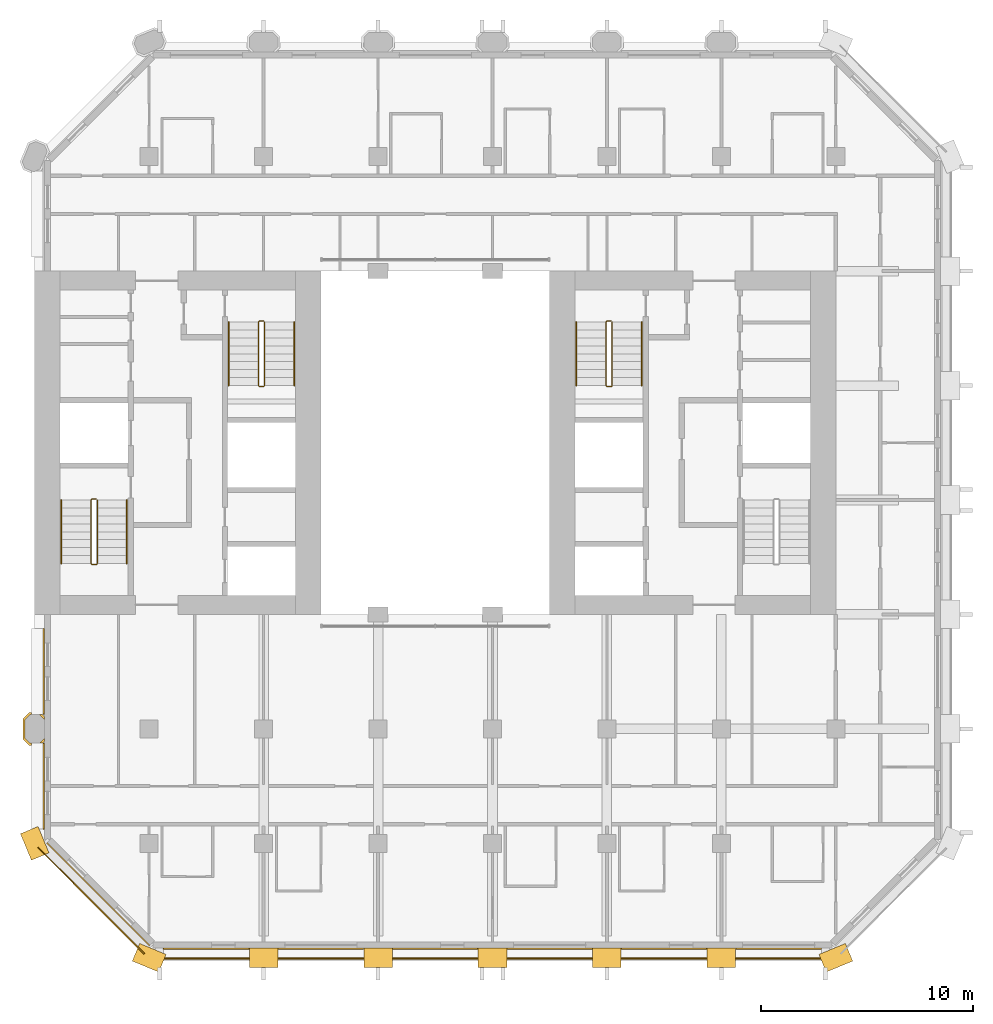
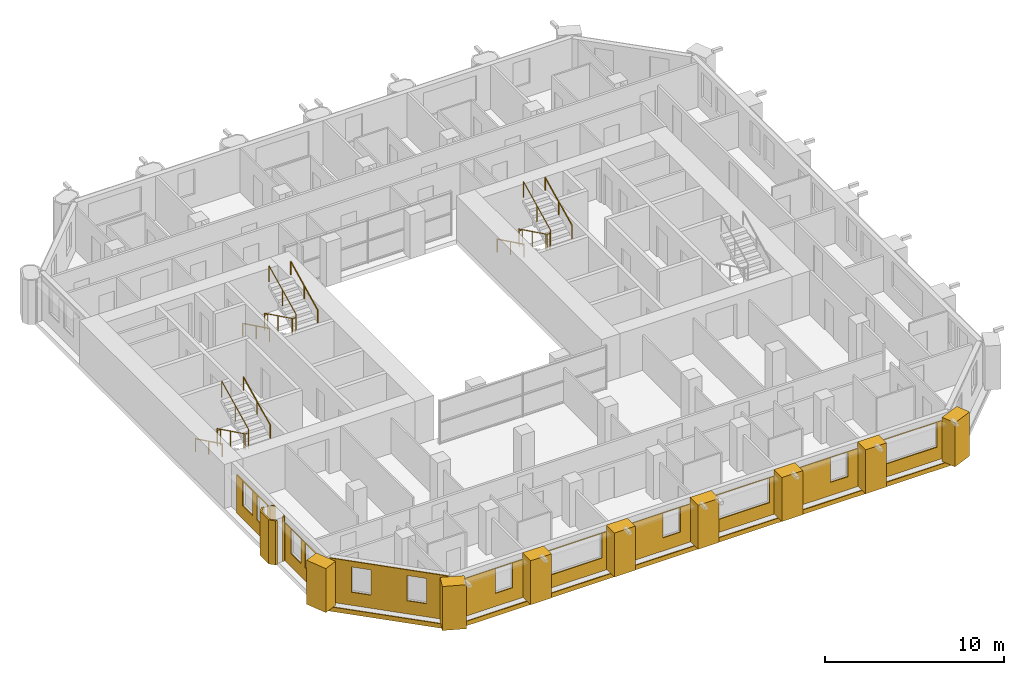
# One storey, part 12 of 13: 22 coverings, 9 railings.
"""IFC4 building model written with IfcOpenShell, lengths in metres."""

from ifc_helpers import new_model, si_unit, direction, frame, frame_2d, origin, origin_2d, place, context, subcontext, project, spatial, polyline, rectangle, circle, outline, extrude, material, layer, layer_set, type_object, element, save


model = new_model("IFC4")

# Units and contexts
model_context = context("Model", 3, precision=1e-05, world=origin(), true_north=direction((0.0, 1.0)))
body_context = subcontext(model_context, "Body", "Model", "MODEL_VIEW")
ifc_project = project(units=[si_unit("LENGTHUNIT", "METRE"), si_unit("AREAUNIT", "SQUARE_METRE"), si_unit("VOLUMEUNIT", "CUBIC_METRE"), si_unit("PLANEANGLEUNIT", "RADIAN"), si_unit("MASSUNIT", "GRAM", prefix="KILO")], contexts=[model_context])

# Site, building, storey
site_placement = place(None, origin())
site = spatial("IfcSite", under=ifc_project, at=site_placement, CompositionType="ELEMENT")
building_placement = place(site_placement, origin())
building = spatial("IfcBuilding", under=site, at=building_placement, Name="Tabaq Tower and Sports Hall", CompositionType="ELEMENT")
storey_placement = place(building_placement, frame((0.0, 0.0, 162.699951171875)))
storey = spatial("IfcBuildingStorey", under=building, at=storey_placement, Name="L38", CompositionType="ELEMENT", Elevation=162.699951171875)

# Coverings
ifc_material_1 = material(Name="Precast concrete C60/75", Category="concrete")
ifc_layer_1 = layer(ifc_material_1, 0.10009765625)
ifc_layer_set_1 = layer_set([ifc_layer_1], Name="Column cladding 100")
covering_type_1 = type_object("IfcCoveringType", Name="Column cladding 100", PredefinedType="CLADDING", material=ifc_layer_set_1)
covering_1_placement = place(storey_placement, origin())
element("IfcCovering", 1, at=covering_1_placement, inside=storey, type_object=covering_type_1, Name="Column cladding L38 PC-2C-H1", PredefinedType="CLADDING", context=body_context, shape_type="SweptSolid", body=[
    extrude(outline(polyline([(5.1337890625, 10.025390625), (4.850341796875, 10.30859375), (4.850341796875, 11.291259765625), (5.1337890625, 11.57470703125), (5.249755859375, 11.57470703125), (5.249755859375, 11.475341796875), (5.1748046875, 11.475341796875), (4.94970703125, 11.250244140625), (4.94970703125, 10.349853515625), (5.1748046875, 10.124755859375), (5.249755859375, 10.124755859375), (5.249755859375, 10.025390625), (5.1337890625, 10.025390625)])), origin(), (0.0, 0.0, 1.0), 3.0),
])
covering_2_placement = place(storey_placement, origin())
element("IfcCovering", 2, at=covering_2_placement, inside=storey, type_object=covering_type_1, Name="Column cladding L38 PC-2C-H1 2", PredefinedType="CLADDING", context=body_context, shape_type="SweptSolid", body=[
    extrude(outline(polyline([(5.766357421875, 10.125244140625), (5.625732421875, 10.125244140625), (5.849609375, 10.349365234375), (5.849609375, 10.208740234375), (5.766357421875, 10.125244140625)])), origin(), (0.0, 0.0, 1.0), 3.0),
])
covering_3_placement = place(storey_placement, origin())
element("IfcCovering", 3, at=covering_3_placement, inside=storey, type_object=covering_type_1, Name="Column cladding L38 PC-2C-H1 3", PredefinedType="CLADDING", context=body_context, shape_type="SweptSolid", body=[
    extrude(outline(polyline([(5.849609375, 11.391357421875), (5.849609375, 11.250732421875), (5.625732421875, 11.474609375), (5.766357421875, 11.474609375), (5.849609375, 11.391357421875)])), origin(), (0.0, 0.0, 1.0), 3.0),
])
ifc_material_2 = material(Name="Precast concrete C60/75", Category="concrete")
ifc_layer_2 = layer(ifc_material_2, 0.06005859375)
ifc_layer_set_2 = layer_set([ifc_layer_2], Name="Edge beam cladding 60")
covering_type_2 = type_object("IfcCoveringType", Name="Edge beam cladding 60", PredefinedType="CLADDING", material=ifc_layer_set_2)
covering_4_placement = place(storey_placement, frame((11.0986328125, -0.030029296875, -0.300048828125), z_axis=(0.0, 0.0, 1.0), x_axis=(1.0, 0.0, 0.0)))
element("IfcCovering", 4, at=covering_4_placement, inside=storey, type_object=covering_type_2, Name="Edge beam cladding L38 1", PredefinedType="CLADDING", context=body_context, shape_type="SweptSolid", body=[
    extrude(rectangle(XDim=31.802734375, YDim=0.06005859375, at=frame_2d((15.9013671875, 0.0))), origin(), (0.0, 0.0, 1.0), 0.300048828125),
])
covering_5_placement = place(storey_placement, frame((5.5556640625, 5.201904296875, -0.300048828125), z_axis=(0.0, 0.0, 1.0), x_axis=(0.707106781187, -0.707106781187, 0.0)))
element("IfcCovering", 5, at=covering_5_placement, inside=storey, type_object=covering_type_2, Name="Edge beam cladding L38 5", PredefinedType="CLADDING", context=body_context, shape_type="SweptSolid", body=[
    extrude(rectangle(XDim=7.087890625, YDim=0.06005859375, at=frame_2d((3.5439453125, 0.0))), origin(), (0.0, 0.0, 1.0), 0.300048828125),
])
ifc_material_3 = material(Name="White precast concrete C60/75", Category="concrete")
covering_type_3 = type_object("IfcCoveringType", Name="Pier cladding hung 1350x900", PredefinedType="CLADDING", material=ifc_material_3)
for number, where, z_axis, x_axis, name in (
    (6, (5.1416015625, 6.023681640625, 0.0), (0.0, 0.0, 1.0), (0.382649923473, -0.923893411637, 0.0), "Hung pier cladding 1/1"),
    (7, (10.17626953125, 0.25830078125, 0.0), (0.0, 0.0, 1.0), (0.923893411637, -0.382649923473, 0.0), "Hung pier cladding 2/0"),
    (8, (15.52490234375, 0.0, 0.0), (0.0, 0.0, 1.0), (1.0, 0.0, 0.0), "Hung pier cladding 3/0"),
):
    element("IfcCovering", number, at=place(storey_placement, frame(where, z_axis=z_axis, x_axis=x_axis)), inside=storey, type_object=covering_type_3, Name=name, PredefinedType="CLADDING", context=body_context, shape_type="SweptSolid", body=[
        extrude(rectangle(XDim=1.35009765625, YDim=0.89990234375, at=frame_2d((0.675048828125, 0.0))), origin(), (0.0, 0.0, 1.0), 3.0),
    ])
covering_6_placement = place(storey_placement, frame((20.925048828125, 0.0, 0.0), z_axis=(0.0, 0.0, 1.0), x_axis=(1.0, 0.0, 0.0)))
element("IfcCovering", 9, at=covering_6_placement, inside=storey, type_object=covering_type_3, Name="Hung pier cladding 4/0", PredefinedType="CLADDING", context=body_context, shape_type="SweptSolid", body=[
    extrude(rectangle(XDim=1.349853515625, YDim=0.89990234375, at=frame_2d((0.6748046875, 0.0))), origin(), (0.0, 0.0, 1.0), 3.0),
])
covering_7_placement = place(storey_placement, frame((26.324951171875, 0.0, 0.0), z_axis=(0.0, 0.0, 1.0), x_axis=(1.0, 0.0, 0.0)))
element("IfcCovering", 10, at=covering_7_placement, inside=storey, type_object=covering_type_3, Name="Hung pier cladding 5/0", PredefinedType="CLADDING", context=body_context, shape_type="SweptSolid", body=[
    extrude(rectangle(XDim=1.35009765625, YDim=0.89990234375, at=frame_2d((0.675048828125, 0.0))), origin(), (0.0, 0.0, 1.0), 3.0),
])
covering_8_placement = place(storey_placement, frame((31.72509765625, 0.0, 0.0), z_axis=(0.0, 0.0, 1.0), x_axis=(1.0, 0.0, 0.0)))
element("IfcCovering", 11, at=covering_8_placement, inside=storey, type_object=covering_type_3, Name="Hung pier cladding 6/0", PredefinedType="CLADDING", context=body_context, shape_type="SweptSolid", body=[
    extrude(rectangle(XDim=1.349853515625, YDim=0.89990234375, at=frame_2d((0.6748046875, 0.0))), origin(), (0.0, 0.0, 1.0), 3.0),
])
for number, where, z_axis, x_axis, name in (
    (12, (37.125, 0.0, 0.0), (0.0, 0.0, 1.0), (1.0, 0.0, 0.0), "Hung pier cladding 7/0"),
    (13, (42.576416015625, -0.25830078125, 0.0), (0.0, 0.0, 1.0), (0.923893411637, 0.382649923473, 0.0), "Hung pier cladding 8/0"),
):
    element("IfcCovering", number, at=place(storey_placement, frame(where, z_axis=z_axis, x_axis=x_axis)), inside=storey, type_object=covering_type_3, Name=name, PredefinedType="CLADDING", context=body_context, shape_type="SweptSolid", body=[
        extrude(rectangle(XDim=1.35009765625, YDim=0.89990234375, at=frame_2d((0.675048828125, 0.0))), origin(), (0.0, 0.0, 1.0), 3.0),
    ])

# Railings
ifc_material_4 = material(Name="Stainless steel", Category="steel")
railing_type_1 = type_object("IfcRailingType", Name="Stair guard", PredefinedType="GUARDRAIL", material=ifc_material_4)
railing_1_placement = place(storey_placement, frame((8.300048828125, 21.64990234375, 0.0)))
element("IfcRailing", 14, at=railing_1_placement, inside=storey, type_object=railing_type_1, Name="L38 ST1 stair guard 1", PredefinedType="GUARDRAIL", context=body_context, shape_type="SweptSolid", body=[
    extrude(circle(Radius=0.02392578125, at=origin_2d()), frame((0.0, 0.0, 1.076171875), z_axis=(-1.0, 0.0, 0.0), x_axis=(0.0, -1.0, 0.0)), (0.0, 0.0, 1.0), 0.199951171875),
    extrude(circle(Radius=0.02392578125, at=origin_2d()), frame((-0.199951171875, 0.0, 1.076171875), z_axis=(-0.254733673405, -0.25349107012, 0.933195066962), x_axis=(0.705375805398, -0.708833529934, 0.0)), (0.0, 0.0, 1.0), 0.196533203125),
    extrude(circle(Radius=0.02392578125, at=origin_2d()), frame((-0.25, -0.0498046875, 1.25927734375), z_axis=(0.0, -0.898368975038, 0.439241601728), x_axis=(1.0, 0.0, 0.0)), (0.0, 0.0, 1.0), 3.33935546875),
    extrude(circle(Radius=0.02392578125, at=origin_2d()), frame((-0.25, -3.0498046875, 2.72607421875), z_axis=(0.707106781187, -0.707106781187, 0.0), x_axis=(0.707106781187, 0.707106781187, 0.0)), (0.0, 0.0, 1.0), 0.07080078125),
    extrude(circle(Radius=0.02392578125, at=origin_2d()), frame((-0.199951171875, -3.099853515625, 2.72607421875), z_axis=(1.0, 0.0, 0.0), x_axis=(0.0, 1.0, 0.0)), (0.0, 0.0, 1.0), 0.199951171875),
    extrude(circle(Radius=0.02392578125, at=origin_2d()), frame((0.0, -3.099853515625, 2.72607421875), z_axis=(0.254653276557, 0.254653276557, 0.932900539971), x_axis=(-0.707106781187, 0.707106781187, 0.0)), (0.0, 0.0, 1.0), 0.196533203125),
    extrude(circle(Radius=0.02392578125, at=origin_2d()), frame((0.050048828125, -3.0498046875, 2.90966796875), z_axis=(0.0, 0.898397823093, 0.439182594671), x_axis=(-1.0, 0.0, 0.0)), (0.0, 0.0, 1.0), 3.33935546875),
    extrude(circle(Radius=0.02099609375, at=origin_2d()), origin(), (0.0, 0.0, 1.0), 1.052001953125),
    extrude(circle(Radius=0.02099609375, at=origin_2d()), frame((-0.199951171875, 0.0, 0.0)), (0.0, 0.0, 1.0), 1.052001953125),
    extrude(circle(Radius=0.02099609375, at=origin_2d()), frame((-0.25, -0.0498046875, 0.183349609375)), (0.0, 0.0, 1.0), 1.052001953125),
    extrude(circle(Radius=0.02099609375, at=origin_2d()), frame((-0.25, -1.5498046875, 0.916748046875)), (0.0, 0.0, 1.0), 1.052001953125),
    extrude(circle(Radius=0.02099609375, at=origin_2d()), frame((-0.25, -3.0498046875, 1.650146484375)), (0.0, 0.0, 1.0), 1.052001953125),
    extrude(circle(Radius=0.02099609375, at=origin_2d()), frame((-0.199951171875, -3.099853515625, 1.650146484375)), (0.0, 0.0, 1.0), 1.052001953125),
    extrude(circle(Radius=0.02099609375, at=origin_2d()), frame((0.0, -3.099853515625, 1.650146484375)), (0.0, 0.0, 1.0), 1.052001953125),
    extrude(circle(Radius=0.02099609375, at=origin_2d()), frame((0.050048828125, -3.0498046875, 1.83349609375)), (0.0, 0.0, 1.0), 1.052001953125),
    extrude(circle(Radius=0.02099609375, at=origin_2d()), frame((0.050048828125, -1.5498046875, 2.56689453125)), (0.0, 0.0, 1.0), 1.052001953125),
    extrude(circle(Radius=0.02099609375, at=origin_2d()), frame((0.050048828125, -0.0498046875, 3.300048828125)), (0.0, 0.0, 1.0), 1.052001953125),
])
railing_2_placement = place(storey_placement, frame((16.199951171875, 30.050048828125, 0.0)))
element("IfcRailing", 15, at=railing_2_placement, inside=storey, type_object=railing_type_1, Name="L38 ST2 stair guard 1", PredefinedType="GUARDRAIL", context=body_context, shape_type="SweptSolid", body=[
    extrude(circle(Radius=0.02392578125, at=origin_2d()), frame((0.0, 0.0, 1.076171875), z_axis=(-1.0, 0.0, 0.0), x_axis=(0.0, -1.0, 0.0)), (0.0, 0.0, 1.0), 0.199951171875),
    extrude(circle(Radius=0.02392578125, at=origin_2d()), frame((-0.199951171875, 0.0, 1.076171875), z_axis=(-0.254653276557, -0.254653276557, 0.932900539971), x_axis=(0.707106781187, -0.707106781187, 0.0)), (0.0, 0.0, 1.0), 0.196533203125),
    extrude(circle(Radius=0.02392578125, at=origin_2d()), frame((-0.25, -0.050048828125, 1.25927734375), z_axis=(0.0, -0.898368975038, 0.439241601728), x_axis=(1.0, 0.0, 0.0)), (0.0, 0.0, 1.0), 3.33935546875),
    extrude(circle(Radius=0.02392578125, at=origin_2d()), frame((-0.25, -3.050048828125, 2.72607421875), z_axis=(0.707106781187, -0.707106781187, 0.0), x_axis=(0.707106781187, 0.707106781187, 0.0)), (0.0, 0.0, 1.0), 0.07080078125),
    extrude(circle(Radius=0.02392578125, at=origin_2d()), frame((-0.199951171875, -3.10009765625, 2.72607421875), z_axis=(1.0, 0.0, 0.0), x_axis=(0.0, 1.0, 0.0)), (0.0, 0.0, 1.0), 0.199951171875),
    extrude(circle(Radius=0.02392578125, at=origin_2d()), frame((0.0, -3.10009765625, 2.72607421875), z_axis=(0.254653276557, 0.254653276557, 0.932900539971), x_axis=(-0.707106781187, 0.707106781187, 0.0)), (0.0, 0.0, 1.0), 0.196533203125),
    extrude(circle(Radius=0.02392578125, at=origin_2d()), frame((0.050048828125, -3.050048828125, 2.90966796875), z_axis=(0.0, 0.898397823093, 0.439182594671), x_axis=(-1.0, 0.0, 0.0)), (0.0, 0.0, 1.0), 3.33935546875),
    extrude(circle(Radius=0.02099609375, at=origin_2d()), origin(), (0.0, 0.0, 1.0), 1.052001953125),
    extrude(circle(Radius=0.02099609375, at=origin_2d()), frame((-0.199951171875, 0.0, 0.0)), (0.0, 0.0, 1.0), 1.052001953125),
    extrude(circle(Radius=0.02099609375, at=origin_2d()), frame((-0.25, -0.050048828125, 0.183349609375)), (0.0, 0.0, 1.0), 1.052001953125),
    extrude(circle(Radius=0.02099609375, at=origin_2d()), frame((-0.25, -1.550048828125, 0.916748046875)), (0.0, 0.0, 1.0), 1.052001953125),
    extrude(circle(Radius=0.02099609375, at=origin_2d()), frame((-0.25, -3.050048828125, 1.650146484375)), (0.0, 0.0, 1.0), 1.052001953125),
    extrude(circle(Radius=0.02099609375, at=origin_2d()), frame((-0.199951171875, -3.10009765625, 1.650146484375)), (0.0, 0.0, 1.0), 1.052001953125),
    extrude(circle(Radius=0.02099609375, at=origin_2d()), frame((0.0, -3.10009765625, 1.650146484375)), (0.0, 0.0, 1.0), 1.052001953125),
    extrude(circle(Radius=0.02099609375, at=origin_2d()), frame((0.050048828125, -3.050048828125, 1.83349609375)), (0.0, 0.0, 1.0), 1.052001953125),
    extrude(circle(Radius=0.02099609375, at=origin_2d()), frame((0.050048828125, -1.550048828125, 2.56689453125)), (0.0, 0.0, 1.0), 1.052001953125),
    extrude(circle(Radius=0.02099609375, at=origin_2d()), frame((0.050048828125, -0.050048828125, 3.300048828125)), (0.0, 0.0, 1.0), 1.052001953125),
])
railing_3_placement = place(storey_placement, frame((32.60009765625, 30.050048828125, 0.0)))
element("IfcRailing", 16, at=railing_3_placement, inside=storey, type_object=railing_type_1, Name="L38 ST4 stair guard 1", PredefinedType="GUARDRAIL", context=body_context, shape_type="SweptSolid", body=[
    extrude(circle(Radius=0.02392578125, at=origin_2d()), frame((0.0, 0.0, 1.076171875), z_axis=(-1.0, 0.0, 0.0), x_axis=(0.0, -1.0, 0.0)), (0.0, 0.0, 1.0), 0.2001953125),
    extrude(circle(Radius=0.02392578125, at=origin_2d()), frame((-0.2001953125, 0.0, 1.076171875), z_axis=(-0.25349107012, -0.254733673405, 0.933195066962), x_axis=(0.708833529934, -0.705375805398, 0.0)), (0.0, 0.0, 1.0), 0.196533203125),
    extrude(circle(Radius=0.02392578125, at=origin_2d()), frame((-0.25, -0.050048828125, 1.25927734375), z_axis=(0.0, -0.898368975038, 0.439241601728), x_axis=(1.0, 0.0, 0.0)), (0.0, 0.0, 1.0), 3.33935546875),
    extrude(circle(Radius=0.02392578125, at=origin_2d()), frame((-0.25, -3.050048828125, 2.72607421875), z_axis=(0.705375805398, -0.708833529934, 0.0), x_axis=(0.708833529934, 0.705375805398, 0.0)), (0.0, 0.0, 1.0), 0.070556640625),
    extrude(circle(Radius=0.02392578125, at=origin_2d()), frame((-0.2001953125, -3.10009765625, 2.72607421875), z_axis=(1.0, 0.0, 0.0), x_axis=(0.0, 1.0, 0.0)), (0.0, 0.0, 1.0), 0.2001953125),
    extrude(circle(Radius=0.02392578125, at=origin_2d()), frame((0.0, -3.10009765625, 2.72607421875), z_axis=(0.25349107012, 0.254733673405, 0.933195066962), x_axis=(-0.708833529934, 0.705375805398, 0.0)), (0.0, 0.0, 1.0), 0.196533203125),
    extrude(circle(Radius=0.02392578125, at=origin_2d()), frame((0.0498046875, -3.050048828125, 2.90966796875), z_axis=(0.0, 0.898397823093, 0.439182594671), x_axis=(-1.0, 0.0, 0.0)), (0.0, 0.0, 1.0), 3.33935546875),
    extrude(circle(Radius=0.02099609375, at=origin_2d()), origin(), (0.0, 0.0, 1.0), 1.052001953125),
    extrude(circle(Radius=0.02099609375, at=origin_2d()), frame((-0.2001953125, 0.0, 0.0)), (0.0, 0.0, 1.0), 1.052001953125),
    extrude(circle(Radius=0.02099609375, at=origin_2d()), frame((-0.25, -0.050048828125, 0.183349609375)), (0.0, 0.0, 1.0), 1.052001953125),
    extrude(circle(Radius=0.02099609375, at=origin_2d()), frame((-0.25, -1.550048828125, 0.916748046875)), (0.0, 0.0, 1.0), 1.052001953125),
    extrude(circle(Radius=0.02099609375, at=origin_2d()), frame((-0.25, -3.050048828125, 1.650146484375)), (0.0, 0.0, 1.0), 1.052001953125),
    extrude(circle(Radius=0.02099609375, at=origin_2d()), frame((-0.2001953125, -3.10009765625, 1.650146484375)), (0.0, 0.0, 1.0), 1.052001953125),
    extrude(circle(Radius=0.02099609375, at=origin_2d()), frame((0.0, -3.10009765625, 1.650146484375)), (0.0, 0.0, 1.0), 1.052001953125),
    extrude(circle(Radius=0.02099609375, at=origin_2d()), frame((0.0498046875, -3.050048828125, 1.83349609375)), (0.0, 0.0, 1.0), 1.052001953125),
    extrude(circle(Radius=0.02099609375, at=origin_2d()), frame((0.0498046875, -1.550048828125, 2.56689453125)), (0.0, 0.0, 1.0), 1.052001953125),
    extrude(circle(Radius=0.02099609375, at=origin_2d()), frame((0.0498046875, -0.050048828125, 3.300048828125)), (0.0, 0.0, 1.0), 1.052001953125),
])
ifc_material_5 = material(Name="Stainless steel", Category="steel")
railing_type_2 = type_object("IfcRailingType", Name="Stair handrail", PredefinedType="HANDRAIL", material=ifc_material_5)
railing_4_placement = place(storey_placement, frame((6.64990234375, 21.60009765625, 0.183349609375)))
element("IfcRailing", 17, at=railing_4_placement, inside=storey, type_object=railing_type_2, Name="L38 ST1 stair handrail 1", PredefinedType="HANDRAIL", context=body_context, shape_type="SweptSolid", body=[
    extrude(circle(Radius=0.02392578125, at=origin_2d()), frame((0.0, 0.0, 0.8759765625), z_axis=(0.0, -0.898368975038, 0.439241601728), x_axis=(1.0, 0.0, 0.0)), (0.0, 0.0, 1.0), 3.33935546875),
    extrude(circle(Radius=0.02099609375, at=origin_2d()), origin(), (0.0, 0.0, 1.0), 0.851806640625),
    extrude(circle(Radius=0.02099609375, at=origin_2d()), frame((0.0, -1.5, 0.7333984375)), (0.0, 0.0, 1.0), 0.851806640625),
    extrude(circle(Radius=0.02099609375, at=origin_2d()), frame((0.0, -3.0, 1.466796875)), (0.0, 0.0, 1.0), 0.851806640625),
])
railing_5_placement = place(storey_placement, frame((9.75, 18.60009765625, 1.83349609375)))
element("IfcRailing", 18, at=railing_5_placement, inside=storey, type_object=railing_type_2, Name="L38 ST1 stair handrail 2", PredefinedType="HANDRAIL", context=body_context, shape_type="SweptSolid", body=[
    extrude(circle(Radius=0.02392578125, at=origin_2d()), frame((0.0, 0.0, 0.8759765625), z_axis=(0.0, 0.898397823093, 0.439182594671), x_axis=(-1.0, 0.0, 0.0)), (0.0, 0.0, 1.0), 3.33935546875),
    extrude(circle(Radius=0.02099609375, at=origin_2d()), origin(), (0.0, 0.0, 1.0), 0.851806640625),
    extrude(circle(Radius=0.02099609375, at=origin_2d()), frame((0.0, 1.5, 0.7333984375)), (0.0, 0.0, 1.0), 0.851806640625),
    extrude(circle(Radius=0.02099609375, at=origin_2d()), frame((0.0, 3.0, 1.466552734375)), (0.0, 0.0, 1.0), 0.851806640625),
])
railing_6_placement = place(storey_placement, frame((14.550048828125, 30.0, 0.183349609375)))
element("IfcRailing", 19, at=railing_6_placement, inside=storey, type_object=railing_type_2, Name="L38 ST2 stair handrail 1", PredefinedType="HANDRAIL", context=body_context, shape_type="SweptSolid", body=[
    extrude(circle(Radius=0.02392578125, at=origin_2d()), frame((0.0, 0.0, 0.8759765625), z_axis=(0.0, -0.898368975038, 0.439241601728), x_axis=(1.0, 0.0, 0.0)), (0.0, 0.0, 1.0), 3.33935546875),
    extrude(circle(Radius=0.02099609375, at=origin_2d()), origin(), (0.0, 0.0, 1.0), 0.851806640625),
    extrude(circle(Radius=0.02099609375, at=origin_2d()), frame((0.0, -1.5, 0.7333984375)), (0.0, 0.0, 1.0), 0.851806640625),
    extrude(circle(Radius=0.02099609375, at=origin_2d()), frame((0.0, -3.0, 1.466796875)), (0.0, 0.0, 1.0), 0.851806640625),
])
railing_7_placement = place(storey_placement, frame((17.64990234375, 27.0, 1.83349609375)))
element("IfcRailing", 20, at=railing_7_placement, inside=storey, type_object=railing_type_2, Name="L38 ST2 stair handrail 2", PredefinedType="HANDRAIL", context=body_context, shape_type="SweptSolid", body=[
    extrude(circle(Radius=0.02392578125, at=origin_2d()), frame((0.0, 0.0, 0.8759765625), z_axis=(0.0, 0.898397823093, 0.439182594671), x_axis=(-1.0, 0.0, 0.0)), (0.0, 0.0, 1.0), 3.33935546875),
    extrude(circle(Radius=0.02099609375, at=origin_2d()), origin(), (0.0, 0.0, 1.0), 0.851806640625),
    extrude(circle(Radius=0.02099609375, at=origin_2d()), frame((0.0, 1.5, 0.7333984375)), (0.0, 0.0, 1.0), 0.851806640625),
    extrude(circle(Radius=0.02099609375, at=origin_2d()), frame((0.0, 3.0, 1.466552734375)), (0.0, 0.0, 1.0), 0.851806640625),
])
railing_8_placement = place(storey_placement, frame((30.949951171875, 30.0, 0.183349609375)))
element("IfcRailing", 21, at=railing_8_placement, inside=storey, type_object=railing_type_2, Name="L38 ST4 stair handrail 1", PredefinedType="HANDRAIL", context=body_context, shape_type="SweptSolid", body=[
    extrude(circle(Radius=0.02392578125, at=origin_2d()), frame((0.0, 0.0, 0.8759765625), z_axis=(0.0, -0.898368975038, 0.439241601728), x_axis=(1.0, 0.0, 0.0)), (0.0, 0.0, 1.0), 3.33935546875),
    extrude(circle(Radius=0.02099609375, at=origin_2d()), origin(), (0.0, 0.0, 1.0), 0.851806640625),
    extrude(circle(Radius=0.02099609375, at=origin_2d()), frame((0.0, -1.5, 0.7333984375)), (0.0, 0.0, 1.0), 0.851806640625),
    extrude(circle(Radius=0.02099609375, at=origin_2d()), frame((0.0, -3.0, 1.466796875)), (0.0, 0.0, 1.0), 0.851806640625),
])
railing_9_placement = place(storey_placement, frame((34.050048828125, 27.0, 1.83349609375)))
element("IfcRailing", 22, at=railing_9_placement, inside=storey, type_object=railing_type_2, Name="L38 ST4 stair handrail 2", PredefinedType="HANDRAIL", context=body_context, shape_type="SweptSolid", body=[
    extrude(circle(Radius=0.02392578125, at=origin_2d()), frame((0.0, 0.0, 0.8759765625), z_axis=(0.0, 0.898397823093, 0.439182594671), x_axis=(-1.0, 0.0, 0.0)), (0.0, 0.0, 1.0), 3.33935546875),
    extrude(circle(Radius=0.02099609375, at=origin_2d()), origin(), (0.0, 0.0, 1.0), 0.851806640625),
    extrude(circle(Radius=0.02099609375, at=origin_2d()), frame((0.0, 1.5, 0.7333984375)), (0.0, 0.0, 1.0), 0.851806640625),
    extrude(circle(Radius=0.02099609375, at=origin_2d()), frame((0.0, 3.0, 1.466552734375)), (0.0, 0.0, 1.0), 0.851806640625),
])

# Coverings
ifc_material_6 = material(Name="Precast concrete C60/75", Category="concrete")
ifc_layer_3 = layer(ifc_material_6, 0.06005859375)
ifc_layer_set_3 = layer_set([ifc_layer_3], Name="White precast cladding panel 60 C60/75")
covering_type_4 = type_object("IfcCoveringType", Name="White precast cladding panel 60 C60/75", PredefinedType="CLADDING", material=ifc_layer_set_3)
covering_9_placement = place(storey_placement, frame((11.465087890625, 0.419921875, 0.0), z_axis=(0.0, 0.0, 1.0), x_axis=(1.0, 0.0, 0.0)))
element("IfcCovering", 23, at=covering_9_placement, inside=storey, type_object=covering_type_4, Name="White precast cladding panel L38 wall00", PredefinedType="CLADDING", context=body_context, shape_type="SweptSolid", body=[
    extrude(outline(polyline([(0.0, 0.0), (4.0498046875, 0.0), (4.0498046875, 2.590087890625), (0.0, 2.590087890625), (0.0, 0.0)]), holes=[polyline([(3.39501953125, 0.89013671875), (2.27490234375, 0.89013671875), (2.27490234375, 2.56005859375), (3.39501953125, 2.56005859375), (3.39501953125, 0.89013671875)])]), frame((0.0, 0.030029296875, 0.0), z_axis=(0.0, -1.0, 0.0), x_axis=(1.0, 0.0, 0.0)), (0.0, 0.0, 1.0), 0.06005859375),
])
covering_10_placement = place(storey_placement, frame((16.885009765625, 0.419921875, 0.0), z_axis=(0.0, 0.0, 1.0), x_axis=(1.0, 0.0, 0.0)))
element("IfcCovering", 24, at=covering_10_placement, inside=storey, type_object=covering_type_4, Name="White precast cladding panel L38 wall00 2", PredefinedType="CLADDING", context=body_context, shape_type="SweptSolid", body=[
    extrude(outline(polyline([(0.0, 0.0), (4.030029296875, 0.0), (4.030029296875, 2.590087890625), (0.0, 2.590087890625), (0.0, 0.0)]), holes=[polyline([(3.72509765625, 0.89013671875), (0.304931640625, 0.89013671875), (0.304931640625, 2.56005859375), (3.72509765625, 2.56005859375), (3.72509765625, 0.89013671875)])]), frame((0.0, 0.030029296875, 0.0), z_axis=(0.0, -1.0, 0.0), x_axis=(1.0, 0.0, 0.0)), (0.0, 0.0, 1.0), 0.06005859375),
])
covering_11_placement = place(storey_placement, frame((22.284912109375, 0.419921875, 0.0), z_axis=(0.0, 0.0, 1.0), x_axis=(1.0, 0.0, 0.0)))
element("IfcCovering", 25, at=covering_11_placement, inside=storey, type_object=covering_type_4, Name="White precast cladding panel L38 wall00 3", PredefinedType="CLADDING", context=body_context, shape_type="SweptSolid", body=[
    extrude(outline(polyline([(0.0, 0.0), (4.030029296875, 0.0), (4.030029296875, 2.590087890625), (0.0, 2.590087890625), (0.0, 0.0)]), holes=[polyline([(3.375, 0.89013671875), (2.2548828125, 0.89013671875), (2.2548828125, 2.56005859375), (3.375, 2.56005859375), (3.375, 0.89013671875)])]), frame((0.0, 0.030029296875, 0.0), z_axis=(0.0, -1.0, 0.0), x_axis=(1.0, 0.0, 0.0)), (0.0, 0.0, 1.0), 0.06005859375),
])
covering_12_placement = place(storey_placement, frame((27.68505859375, 0.419921875, 0.0), z_axis=(0.0, 0.0, 1.0), x_axis=(1.0, 0.0, 0.0)))
element("IfcCovering", 26, at=covering_12_placement, inside=storey, type_object=covering_type_4, Name="White precast cladding panel L38 wall00 4", PredefinedType="CLADDING", context=body_context, shape_type="SweptSolid", body=[
    extrude(outline(polyline([(0.0, 0.0), (4.030029296875, 0.0), (4.030029296875, 2.590087890625), (0.0, 2.590087890625), (0.0, 0.0)]), holes=[polyline([(3.72509765625, 0.89013671875), (0.304931640625, 0.89013671875), (0.304931640625, 2.56005859375), (3.72509765625, 2.56005859375), (3.72509765625, 0.89013671875)])]), frame((0.0, 0.030029296875, 0.0), z_axis=(0.0, -1.0, 0.0), x_axis=(1.0, 0.0, 0.0)), (0.0, 0.0, 1.0), 0.06005859375),
])
covering_13_placement = place(storey_placement, frame((33.0849609375, 0.419921875, 0.0), z_axis=(0.0, 0.0, 1.0), x_axis=(1.0, 0.0, 0.0)))
element("IfcCovering", 27, at=covering_13_placement, inside=storey, type_object=covering_type_4, Name="White precast cladding panel L38 wall00 5", PredefinedType="CLADDING", context=body_context, shape_type="SweptSolid", body=[
    extrude(outline(polyline([(0.0, 0.0), (4.030029296875, 0.0), (4.030029296875, 2.590087890625), (0.0, 2.590087890625), (0.0, 0.0)]), holes=[polyline([(3.375, 0.89013671875), (2.2548828125, 0.89013671875), (2.2548828125, 2.56005859375), (3.375, 2.56005859375), (3.375, 0.89013671875)])]), frame((0.0, 0.030029296875, 0.0), z_axis=(0.0, -1.0, 0.0), x_axis=(1.0, 0.0, 0.0)), (0.0, 0.0, 1.0), 0.06005859375),
])
covering_14_placement = place(storey_placement, frame((38.485107421875, 0.419921875, 0.0), z_axis=(0.0, 0.0, 1.0), x_axis=(1.0, 0.0, 0.0)))
element("IfcCovering", 28, at=covering_14_placement, inside=storey, type_object=covering_type_4, Name="White precast cladding panel L38 wall00 6", PredefinedType="CLADDING", context=body_context, shape_type="SweptSolid", body=[
    extrude(outline(polyline([(0.0, 0.0), (4.0498046875, 0.0), (4.0498046875, 2.590087890625), (0.0, 2.590087890625), (0.0, 0.0)]), holes=[polyline([(3.72509765625, 0.89013671875), (0.304931640625, 0.89013671875), (0.304931640625, 2.56005859375), (3.72509765625, 2.56005859375), (3.72509765625, 0.89013671875)])]), frame((0.0, 0.030029296875, 0.0), z_axis=(0.0, -1.0, 0.0), x_axis=(1.0, 0.0, 0.0)), (0.0, 0.0, 1.0), 0.06005859375),
])
covering_15_placement = place(storey_placement, frame((5.820068359375, 15.534912109375, 0.0), z_axis=(0.0, 0.0, 1.0), x_axis=(0.0, -1.0, 0.0)))
element("IfcCovering", 29, at=covering_15_placement, inside=storey, type_object=covering_type_4, Name="White precast cladding panel L38 wall06-1", PredefinedType="CLADDING", context=body_context, shape_type="SweptSolid", body=[
    extrude(outline(polyline([(0.0, 0.0), (4.0498046875, 0.0), (4.0498046875, 2.590087890625), (0.0, 2.590087890625), (0.0, 0.0)]), holes=[polyline([(0.675048828125, 0.89013671875), (0.675048828125, 2.56005859375), (1.794921875, 2.56005859375), (1.794921875, 0.89013671875), (0.675048828125, 0.89013671875)]), polyline([(2.27490234375, 0.89013671875), (2.27490234375, 2.56005859375), (3.39501953125, 2.56005859375), (3.39501953125, 0.89013671875), (2.27490234375, 0.89013671875)])]), frame((0.0, 0.030029296875, 0.0), z_axis=(0.0, -1.0, 0.0), x_axis=(1.0, 0.0, 0.0)), (0.0, 0.0, 1.0), 0.06005859375),
])
covering_16_placement = place(storey_placement, frame((5.820068359375, 10.114990234375, 0.0), z_axis=(0.0, 0.0, 1.0), x_axis=(0.0, -1.0, 0.0)))
element("IfcCovering", 30, at=covering_16_placement, inside=storey, type_object=covering_type_4, Name="White precast cladding panel L38 wall06-1 2", PredefinedType="CLADDING", context=body_context, shape_type="SweptSolid", body=[
    extrude(outline(polyline([(0.0, 0.0), (4.050048828125, 0.0), (4.050048828125, 2.590087890625), (0.0, 2.590087890625), (0.0, 0.0)]), holes=[polyline([(0.655029296875, 0.89013671875), (0.655029296875, 2.56005859375), (1.77490234375, 2.56005859375), (1.77490234375, 0.89013671875), (0.655029296875, 0.89013671875)]), polyline([(2.2548828125, 0.89013671875), (2.2548828125, 2.56005859375), (3.375, 2.56005859375), (3.375, 0.89013671875), (2.2548828125, 0.89013671875)])]), frame((0.0, 0.030029296875, 0.0), z_axis=(0.0, -1.0, 0.0), x_axis=(1.0, 0.0, 0.0)), (0.0, 0.0, 1.0), 0.06005859375),
])
covering_17_placement = place(storey_placement, frame((5.9716796875, 5.42236328125, 0.0), z_axis=(0.0, 0.0, 1.0), x_axis=(0.707106781187, -0.707106781187, 0.0)))
element("IfcCovering", 31, at=covering_17_placement, inside=storey, type_object=covering_type_4, Name="White precast cladding panel L38 wall07", PredefinedType="CLADDING", context=body_context, shape_type="SweptSolid", body=[
    extrude(outline(polyline([(0.0, 0.0), (6.85986328125, 0.0), (6.85986328125, 3.0), (0.0, 3.0), (0.0, 0.0)]), holes=[polyline([(1.269775390625, 2.610107421875), (2.389892578125, 2.610107421875), (2.389892578125, 0.89013671875), (1.269775390625, 0.89013671875), (1.269775390625, 2.610107421875)]), polyline([(4.4697265625, 2.610107421875), (5.58984375, 2.610107421875), (5.58984375, 0.89013671875), (4.4697265625, 0.89013671875), (4.4697265625, 2.610107421875)])]), frame((0.0, 0.030029296875, 0.0), z_axis=(0.0, -1.0, 0.0), x_axis=(1.0, 0.0, 0.0)), (0.0, 0.0, 1.0), 0.06005859375),
])

save(model, "model.ifc")
